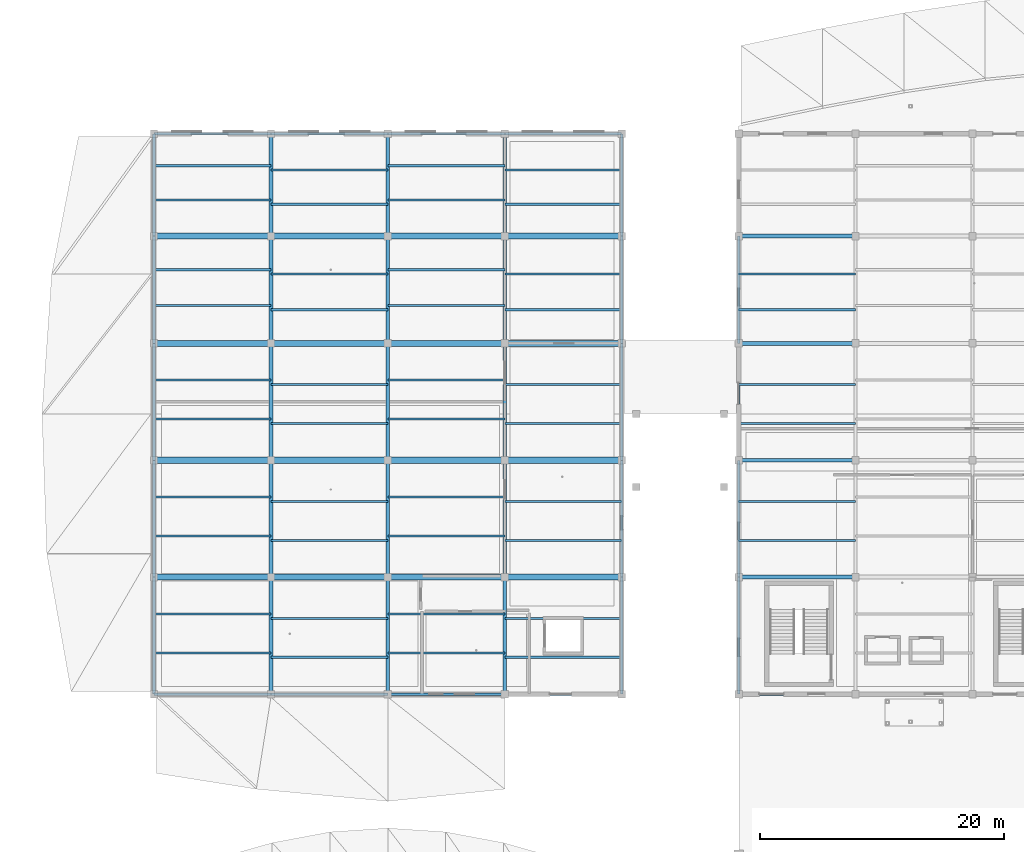
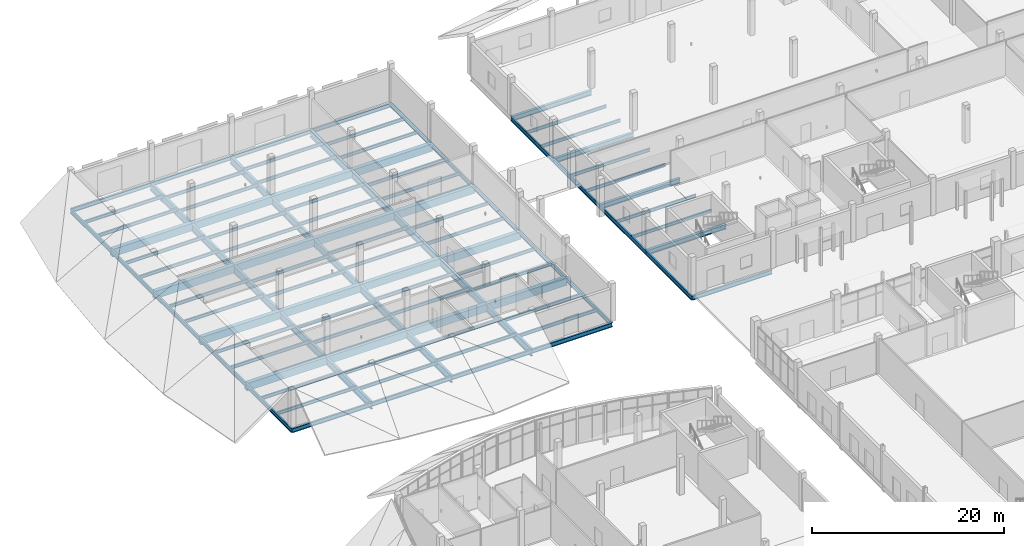
# One storey, part 55 of 116: 104 beams.
"""IFC4 building model written with IfcOpenShell, lengths in metres."""

from ifc_helpers import new_model, si_unit, direction, frame, origin, origin_2d, place, context, subcontext, project, spatial, rectangle, i_section, extrude, material, material_profile, profile_set, type_object, element, save


model = new_model("IFC4")

# Units and contexts
model_context = context("Model", 3, precision=1e-05, world=origin(), true_north=direction((0.0, 1.0)))
body_context = subcontext(model_context, "Body", "Model", "MODEL_VIEW")
ifc_project = project(units=[si_unit("LENGTHUNIT", "METRE"), si_unit("AREAUNIT", "SQUARE_METRE"), si_unit("VOLUMEUNIT", "CUBIC_METRE"), si_unit("PLANEANGLEUNIT", "RADIAN"), si_unit("MASSUNIT", "GRAM", prefix="KILO")], contexts=[model_context])

# Site, building, storey
site_placement = place(None, origin())
site = spatial("IfcSite", under=ifc_project, at=site_placement, CompositionType="ELEMENT")
building_placement = place(site_placement, origin())
building = spatial("IfcBuilding", under=site, at=building_placement, Name="Chalmorin Arch Market", CompositionType="ELEMENT")
storey_placement = place(building_placement, origin())
storey = spatial("IfcBuildingStorey", under=building, at=storey_placement, Name="L00", CompositionType="ELEMENT", Elevation=0.0)

# Beams
ifc_material_1 = material(Name="Concrete C40/50", Category="concrete")
ifc_material_profile_1 = material_profile(ifc_material_1, rectangle(XDim=0.5, YDim=0.949951171875, at=origin_2d()), Name="RC500X950")
ifc_profile_set_1 = profile_set([ifc_material_profile_1], Name="Concrete C40/50")
beam_type_1 = type_object("IfcBeamType", Name="HeavyConcreteGirder-500x950", PredefinedType="BEAM", material=ifc_profile_set_1)
for number, where, z_axis, x_axis, name in (
    (1, (0.0, 81.60009765625, -0.797119140625), (1.0, 0.0, 0.0), (0.0, 1.0, 0.0), "BG-RC4-0287"),
    (2, (0.0, 91.199951171875, -0.797119140625), (1.0, 0.0, 0.0), (0.0, 1.0, 0.0), "BG-RC4-0290"),
    (3, (0.0, 100.800048828125, -0.797119140625), (1.0, 0.0, 0.0), (0.0, 1.0, 0.0), "BG-RC4-0293"),
    (4, (0.0, 109.60009765625, -0.797119140625), (1.0, 0.0, 0.0), (0.0, 1.0, 0.0), "BG-RC4-0296"),
):
    element("IfcBeam", number, at=place(storey_placement, frame(where, z_axis=z_axis, x_axis=x_axis)), inside=storey, type_object=beam_type_1, Name=name, PredefinedType="BEAM", context=body_context, shape_type="SweptSolid", body=[
        extrude(rectangle(XDim=0.5, YDim=0.949951171875, at=origin_2d()), origin(), (0.0, 0.0, 1.0), 9.60009765625),
    ])
for number, where, z_axis, x_axis, name in (
    (5, (9.60009765625, 81.60009765625, -0.797119140625), (1.0, 0.0, 0.0), (0.0, 1.0, 0.0), "BG-RC4-0303"),
    (6, (9.60009765625, 91.199951171875, -0.797119140625), (1.0, 0.0, 0.0), (0.0, 1.0, 0.0), "BG-RC4-0305"),
    (7, (9.60009765625, 100.800048828125, -0.797119140625), (1.0, 0.0, 0.0), (0.0, 1.0, 0.0), "BG-RC4-0307"),
    (8, (9.60009765625, 109.60009765625, -0.797119140625), (1.0, 0.0, 0.0), (0.0, 1.0, 0.0), "BG-RC4-0309"),
):
    element("IfcBeam", number, at=place(storey_placement, frame(where, z_axis=z_axis, x_axis=x_axis)), inside=storey, type_object=beam_type_1, Name=name, PredefinedType="BEAM", context=body_context, shape_type="SweptSolid", body=[
        extrude(rectangle(XDim=0.5, YDim=0.949951171875, at=origin_2d()), origin(), (0.0, 0.0, 1.0), 9.599853515625),
    ])
for number, where, z_axis, x_axis, name in (
    (9, (19.199951171875, 81.60009765625, -0.797119140625), (1.0, 0.0, 0.0), (0.0, 1.0, 0.0), "BG-RC4-0314"),
    (10, (19.199951171875, 91.199951171875, -0.797119140625), (1.0, 0.0, 0.0), (0.0, 1.0, 0.0), "BG-RC4-0316"),
    (11, (19.199951171875, 100.800048828125, -0.797119140625), (1.0, 0.0, 0.0), (0.0, 1.0, 0.0), "BG-RC4-0318"),
    (12, (19.199951171875, 109.60009765625, -0.797119140625), (1.0, 0.0, 0.0), (0.0, 1.0, 0.0), "BG-RC4-0320"),
):
    element("IfcBeam", number, at=place(storey_placement, frame(where, z_axis=z_axis, x_axis=x_axis)), inside=storey, type_object=beam_type_1, Name=name, PredefinedType="BEAM", context=body_context, shape_type="SweptSolid", body=[
        extrude(rectangle(XDim=0.5, YDim=0.949951171875, at=origin_2d()), origin(), (0.0, 0.0, 1.0), 9.60009765625),
    ])
for number, where, z_axis, x_axis, name in (
    (13, (28.800048828125, 81.60009765625, -0.797119140625), (1.0, 0.0, 0.0), (0.0, 1.0, 0.0), "BG-RC4-0325"),
    (14, (28.800048828125, 91.199951171875, -0.797119140625), (1.0, 0.0, 0.0), (0.0, 1.0, 0.0), "BG-RC4-0327"),
    (15, (28.800048828125, 100.800048828125, -0.797119140625), (1.0, 0.0, 0.0), (0.0, 1.0, 0.0), "BG-RC4-0329"),
    (16, (28.800048828125, 109.60009765625, -0.797119140625), (1.0, 0.0, 0.0), (0.0, 1.0, 0.0), "BG-RC4-0331"),
):
    element("IfcBeam", number, at=place(storey_placement, frame(where, z_axis=z_axis, x_axis=x_axis)), inside=storey, type_object=beam_type_1, Name=name, PredefinedType="BEAM", context=body_context, shape_type="SweptSolid", body=[
        extrude(rectangle(XDim=0.5, YDim=0.949951171875, at=origin_2d()), origin(), (0.0, 0.0, 1.0), 9.599853515625),
    ])
ifc_material_2 = material(Name="Steel A992 Grade 50", Category="steel")
ifc_material_profile_2 = material_profile(ifc_material_2, i_section(OverallWidth=0.180908203125, OverallDepth=0.4169921875, WebThickness=0.010986328125, FlangeThickness=0.018310546875, FilletRadius=0.01806640625, at=origin_2d()), Name="W16X57")
ifc_profile_set_2 = profile_set([ifc_material_profile_2], Name="Steel A992 Grade 50")
beam_type_2 = type_object("IfcBeamType", Name="HeavyFloorJoist-W16X57", PredefinedType="JOIST", material=ifc_profile_set_2)
for number, where, z_axis, x_axis, name in (
    (17, (0.0, 75.3798828125, -0.530517578125), (1.0, 0.0, 0.0), (0.0, 1.0, 0.0), "BJ-W16C-0335"),
    (18, (0.0, 78.580078125, -0.530517578125), (1.0, 0.0, 0.0), (0.0, 1.0, 0.0), "BJ-W16C-0336"),
    (19, (0.0, 84.97998046875, -0.530517578125), (1.0, 0.0, 0.0), (0.0, 1.0, 0.0), "BJ-W16C-0337"),
    (20, (0.0, 88.179931640625, -0.530517578125), (1.0, 0.0, 0.0), (0.0, 1.0, 0.0), "BJ-W16C-0338"),
    (21, (0.0, 94.580078125, -0.530517578125), (1.0, 0.0, 0.0), (0.0, 1.0, 0.0), "BJ-W16C-0339"),
    (22, (0.0, 97.780029296875, -0.530517578125), (1.0, 0.0, 0.0), (0.0, 1.0, 0.0), "BJ-W16C-0340"),
    (23, (0.0, 103.913330078125, -0.530517578125), (1.0, 0.0, 0.0), (0.0, 1.0, 0.0), "BJ-W16C-0341"),
    (24, (0.0, 106.8466796875, -0.530517578125), (1.0, 0.0, 0.0), (0.0, 1.0, 0.0), "BJ-W16C-0342"),
    (25, (0.0, 112.580078125, -0.530517578125), (1.0, 0.0, 0.0), (0.0, 1.0, 0.0), "BJ-W16C-0343"),
    (26, (0.0, 115.3798828125, -0.530517578125), (1.0, 0.0, 0.0), (0.0, 1.0, 0.0), "BJ-W16C-0344"),
):
    element("IfcBeam", number, at=place(storey_placement, frame(where, z_axis=z_axis, x_axis=x_axis)), inside=storey, type_object=beam_type_2, Name=name, PredefinedType="JOIST", context=body_context, shape_type="SweptSolid", body=[
        extrude(i_section(OverallWidth=0.180908203125, OverallDepth=0.4169921875, WebThickness=0.010986328125, FlangeThickness=0.018310546875, FilletRadius=0.01806640625, at=origin_2d()), origin(), (0.0, 0.0, 1.0), 9.60009765625),
    ])
for number, where, z_axis, x_axis, name in (
    (27, (9.60009765625, 75.02001953125, -0.530517578125), (1.0, 0.0, 0.0), (0.0, 1.0, 0.0), "BJ-W16C-0345"),
    (28, (9.60009765625, 78.219970703125, -0.530517578125), (1.0, 0.0, 0.0), (0.0, 1.0, 0.0), "BJ-W16C-0346"),
    (29, (9.60009765625, 84.6201171875, -0.530517578125), (1.0, 0.0, 0.0), (0.0, 1.0, 0.0), "BJ-W16C-0347"),
    (30, (9.60009765625, 87.820068359375, -0.530517578125), (1.0, 0.0, 0.0), (0.0, 1.0, 0.0), "BJ-W16C-0348"),
    (31, (9.60009765625, 94.219970703125, -0.530517578125), (1.0, 0.0, 0.0), (0.0, 1.0, 0.0), "BJ-W16C-0349"),
    (32, (9.60009765625, 97.419921875, -0.530517578125), (1.0, 0.0, 0.0), (0.0, 1.0, 0.0), "BJ-W16C-0350"),
    (33, (9.60009765625, 103.55322265625, -0.530517578125), (1.0, 0.0, 0.0), (0.0, 1.0, 0.0), "BJ-W16C-0351"),
    (34, (9.60009765625, 106.48681640625, -0.530517578125), (1.0, 0.0, 0.0), (0.0, 1.0, 0.0), "BJ-W16C-0352"),
    (35, (9.60009765625, 112.219970703125, -0.530517578125), (1.0, 0.0, 0.0), (0.0, 1.0, 0.0), "BJ-W16C-0353"),
    (36, (9.60009765625, 115.02001953125, -0.530517578125), (1.0, 0.0, 0.0), (0.0, 1.0, 0.0), "BJ-W16C-0354"),
):
    element("IfcBeam", number, at=place(storey_placement, frame(where, z_axis=z_axis, x_axis=x_axis)), inside=storey, type_object=beam_type_2, Name=name, PredefinedType="JOIST", context=body_context, shape_type="SweptSolid", body=[
        extrude(i_section(OverallWidth=0.180908203125, OverallDepth=0.4169921875, WebThickness=0.010986328125, FlangeThickness=0.018310546875, FilletRadius=0.01806640625, at=origin_2d()), origin(), (0.0, 0.0, 1.0), 9.599853515625),
    ])
for number, where, z_axis, x_axis, name in (
    (37, (19.199951171875, 75.3798828125, -0.530517578125), (1.0, 0.0, 0.0), (0.0, 1.0, 0.0), "BJ-W16C-0355"),
    (38, (19.199951171875, 78.580078125, -0.530517578125), (1.0, 0.0, 0.0), (0.0, 1.0, 0.0), "BJ-W16C-0356"),
    (39, (19.199951171875, 84.97998046875, -0.530517578125), (1.0, 0.0, 0.0), (0.0, 1.0, 0.0), "BJ-W16C-0357"),
    (40, (19.199951171875, 88.179931640625, -0.530517578125), (1.0, 0.0, 0.0), (0.0, 1.0, 0.0), "BJ-W16C-0358"),
    (41, (19.199951171875, 94.580078125, -0.530517578125), (1.0, 0.0, 0.0), (0.0, 1.0, 0.0), "BJ-W16C-0359"),
    (42, (19.199951171875, 97.780029296875, -0.530517578125), (1.0, 0.0, 0.0), (0.0, 1.0, 0.0), "BJ-W16C-0360"),
    (43, (19.199951171875, 103.913330078125, -0.530517578125), (1.0, 0.0, 0.0), (0.0, 1.0, 0.0), "BJ-W16C-0361"),
    (44, (19.199951171875, 106.8466796875, -0.530517578125), (1.0, 0.0, 0.0), (0.0, 1.0, 0.0), "BJ-W16C-0362"),
    (45, (19.199951171875, 112.580078125, -0.530517578125), (1.0, 0.0, 0.0), (0.0, 1.0, 0.0), "BJ-W16C-0363"),
    (46, (19.199951171875, 115.3798828125, -0.530517578125), (1.0, 0.0, 0.0), (0.0, 1.0, 0.0), "BJ-W16C-0364"),
):
    element("IfcBeam", number, at=place(storey_placement, frame(where, z_axis=z_axis, x_axis=x_axis)), inside=storey, type_object=beam_type_2, Name=name, PredefinedType="JOIST", context=body_context, shape_type="SweptSolid", body=[
        extrude(i_section(OverallWidth=0.180908203125, OverallDepth=0.4169921875, WebThickness=0.010986328125, FlangeThickness=0.018310546875, FilletRadius=0.01806640625, at=origin_2d()), origin(), (0.0, 0.0, 1.0), 9.60009765625),
    ])
for number, where, z_axis, x_axis, name in (
    (47, (28.800048828125, 75.02001953125, -0.530517578125), (1.0, 0.0, 0.0), (0.0, 1.0, 0.0), "BJ-W16C-0365"),
    (48, (28.800048828125, 78.219970703125, -0.530517578125), (1.0, 0.0, 0.0), (0.0, 1.0, 0.0), "BJ-W16C-0366"),
    (49, (28.800048828125, 84.6201171875, -0.530517578125), (1.0, 0.0, 0.0), (0.0, 1.0, 0.0), "BJ-W16C-0367"),
    (50, (28.800048828125, 87.820068359375, -0.530517578125), (1.0, 0.0, 0.0), (0.0, 1.0, 0.0), "BJ-W16C-0368"),
    (51, (28.800048828125, 94.219970703125, -0.530517578125), (1.0, 0.0, 0.0), (0.0, 1.0, 0.0), "BJ-W16C-0369"),
    (52, (28.800048828125, 97.419921875, -0.530517578125), (1.0, 0.0, 0.0), (0.0, 1.0, 0.0), "BJ-W16C-0370"),
    (53, (28.800048828125, 103.55322265625, -0.530517578125), (1.0, 0.0, 0.0), (0.0, 1.0, 0.0), "BJ-W16C-0371"),
    (54, (28.800048828125, 106.48681640625, -0.530517578125), (1.0, 0.0, 0.0), (0.0, 1.0, 0.0), "BJ-W16C-0372"),
    (55, (28.800048828125, 112.219970703125, -0.530517578125), (1.0, 0.0, 0.0), (0.0, 1.0, 0.0), "BJ-W16C-0373"),
    (56, (28.800048828125, 115.02001953125, -0.530517578125), (1.0, 0.0, 0.0), (0.0, 1.0, 0.0), "BJ-W16C-0374"),
):
    element("IfcBeam", number, at=place(storey_placement, frame(where, z_axis=z_axis, x_axis=x_axis)), inside=storey, type_object=beam_type_2, Name=name, PredefinedType="JOIST", context=body_context, shape_type="SweptSolid", body=[
        extrude(i_section(OverallWidth=0.180908203125, OverallDepth=0.4169921875, WebThickness=0.010986328125, FlangeThickness=0.018310546875, FilletRadius=0.01806640625, at=origin_2d()), origin(), (0.0, 0.0, 1.0), 9.599853515625),
    ])
ifc_material_profile_3 = material_profile(ifc_material_2, i_section(OverallWidth=0.303955078125, OverallDepth=0.910888671875, WebThickness=0.015869140625, FlangeThickness=0.02392578125, FilletRadius=0.031982421875, at=origin_2d()), Name="W36X150")
ifc_profile_set_3 = profile_set([ifc_material_profile_3], Name="Steel A992 Grade 50")
beam_type_3 = type_object("IfcBeamType", Name="HeavyTransferGirder-W36X150", PredefinedType="BEAM", material=ifc_profile_set_3)
beam_1_placement = place(storey_placement, frame((9.60009765625, 72.0, -0.777587890625), z_axis=(0.0, 1.0, 0.0), x_axis=(-1.0, 0.0, 0.0)))
element("IfcBeam", 57, at=beam_1_placement, inside=storey, type_object=beam_type_3, Name="BG-W36-0289", PredefinedType="BEAM", context=body_context, shape_type="SweptSolid", body=[
    extrude(i_section(OverallWidth=0.303955078125, OverallDepth=0.910888671875, WebThickness=0.015869140625, FlangeThickness=0.02392578125, FilletRadius=0.031982421875, at=origin_2d()), origin(), (0.0, 0.0, 1.0), 9.60009765625),
])
beam_2_placement = place(storey_placement, frame((9.60009765625, 81.60009765625, -0.777587890625), z_axis=(0.0, 1.0, 0.0), x_axis=(-1.0, 0.0, 0.0)))
element("IfcBeam", 58, at=beam_2_placement, inside=storey, type_object=beam_type_3, Name="BG-W36-0292", PredefinedType="BEAM", context=body_context, shape_type="SweptSolid", body=[
    extrude(i_section(OverallWidth=0.303955078125, OverallDepth=0.910888671875, WebThickness=0.015869140625, FlangeThickness=0.02392578125, FilletRadius=0.031982421875, at=origin_2d()), origin(), (0.0, 0.0, 1.0), 9.599853515625),
])
beam_3_placement = place(storey_placement, frame((9.60009765625, 91.199951171875, -0.777587890625), z_axis=(0.0, 1.0, 0.0), x_axis=(-1.0, 0.0, 0.0)))
element("IfcBeam", 59, at=beam_3_placement, inside=storey, type_object=beam_type_3, Name="BG-W36-0295", PredefinedType="BEAM", context=body_context, shape_type="SweptSolid", body=[
    extrude(i_section(OverallWidth=0.303955078125, OverallDepth=0.910888671875, WebThickness=0.015869140625, FlangeThickness=0.02392578125, FilletRadius=0.031982421875, at=origin_2d()), origin(), (0.0, 0.0, 1.0), 9.60009765625),
])
beam_4_placement = place(storey_placement, frame((9.60009765625, 100.800048828125, -0.777587890625), z_axis=(0.0, 1.0, 0.0), x_axis=(-1.0, 0.0, 0.0)))
element("IfcBeam", 60, at=beam_4_placement, inside=storey, type_object=beam_type_3, Name="BG-W36-0298", PredefinedType="BEAM", context=body_context, shape_type="SweptSolid", body=[
    extrude(i_section(OverallWidth=0.303955078125, OverallDepth=0.910888671875, WebThickness=0.015869140625, FlangeThickness=0.02392578125, FilletRadius=0.031982421875, at=origin_2d()), origin(), (0.0, 0.0, 1.0), 8.800048828125),
])
beam_5_placement = place(storey_placement, frame((9.60009765625, 109.60009765625, -0.777587890625), z_axis=(0.0, 1.0, 0.0), x_axis=(-1.0, 0.0, 0.0)))
element("IfcBeam", 61, at=beam_5_placement, inside=storey, type_object=beam_type_3, Name="BG-W36-0301", PredefinedType="BEAM", context=body_context, shape_type="SweptSolid", body=[
    extrude(i_section(OverallWidth=0.303955078125, OverallDepth=0.910888671875, WebThickness=0.015869140625, FlangeThickness=0.02392578125, FilletRadius=0.031982421875, at=origin_2d()), origin(), (0.0, 0.0, 1.0), 8.39990234375),
])
beam_6_placement = place(storey_placement, frame((19.199951171875, 72.0, -0.777587890625), z_axis=(0.0, 1.0, 0.0), x_axis=(-1.0, 0.0, 0.0)))
element("IfcBeam", 62, at=beam_6_placement, inside=storey, type_object=beam_type_3, Name="BG-W36-0304", PredefinedType="BEAM", context=body_context, shape_type="SweptSolid", body=[
    extrude(i_section(OverallWidth=0.303955078125, OverallDepth=0.910888671875, WebThickness=0.015869140625, FlangeThickness=0.02392578125, FilletRadius=0.031982421875, at=origin_2d()), origin(), (0.0, 0.0, 1.0), 9.60009765625),
])
beam_7_placement = place(storey_placement, frame((19.199951171875, 81.60009765625, -0.777587890625), z_axis=(0.0, 1.0, 0.0), x_axis=(-1.0, 0.0, 0.0)))
element("IfcBeam", 63, at=beam_7_placement, inside=storey, type_object=beam_type_3, Name="BG-W36-0306", PredefinedType="BEAM", context=body_context, shape_type="SweptSolid", body=[
    extrude(i_section(OverallWidth=0.303955078125, OverallDepth=0.910888671875, WebThickness=0.015869140625, FlangeThickness=0.02392578125, FilletRadius=0.031982421875, at=origin_2d()), origin(), (0.0, 0.0, 1.0), 9.599853515625),
])
beam_8_placement = place(storey_placement, frame((19.199951171875, 91.199951171875, -0.777587890625), z_axis=(0.0, 1.0, 0.0), x_axis=(-1.0, 0.0, 0.0)))
element("IfcBeam", 64, at=beam_8_placement, inside=storey, type_object=beam_type_3, Name="BG-W36-0308", PredefinedType="BEAM", context=body_context, shape_type="SweptSolid", body=[
    extrude(i_section(OverallWidth=0.303955078125, OverallDepth=0.910888671875, WebThickness=0.015869140625, FlangeThickness=0.02392578125, FilletRadius=0.031982421875, at=origin_2d()), origin(), (0.0, 0.0, 1.0), 9.60009765625),
])
beam_9_placement = place(storey_placement, frame((19.199951171875, 100.800048828125, -0.777587890625), z_axis=(0.0, 1.0, 0.0), x_axis=(-1.0, 0.0, 0.0)))
element("IfcBeam", 65, at=beam_9_placement, inside=storey, type_object=beam_type_3, Name="BG-W36-0310", PredefinedType="BEAM", context=body_context, shape_type="SweptSolid", body=[
    extrude(i_section(OverallWidth=0.303955078125, OverallDepth=0.910888671875, WebThickness=0.015869140625, FlangeThickness=0.02392578125, FilletRadius=0.031982421875, at=origin_2d()), origin(), (0.0, 0.0, 1.0), 8.800048828125),
])
beam_10_placement = place(storey_placement, frame((19.199951171875, 109.60009765625, -0.777587890625), z_axis=(0.0, 1.0, 0.0), x_axis=(-1.0, 0.0, 0.0)))
element("IfcBeam", 66, at=beam_10_placement, inside=storey, type_object=beam_type_3, Name="BG-W36-0312", PredefinedType="BEAM", context=body_context, shape_type="SweptSolid", body=[
    extrude(i_section(OverallWidth=0.303955078125, OverallDepth=0.910888671875, WebThickness=0.015869140625, FlangeThickness=0.02392578125, FilletRadius=0.031982421875, at=origin_2d()), origin(), (0.0, 0.0, 1.0), 8.39990234375),
])
beam_11_placement = place(storey_placement, frame((28.800048828125, 72.0, -0.777587890625), z_axis=(0.0, 1.0, 0.0), x_axis=(-1.0, 0.0, 0.0)))
element("IfcBeam", 67, at=beam_11_placement, inside=storey, type_object=beam_type_3, Name="BG-W36-0315", PredefinedType="BEAM", context=body_context, shape_type="SweptSolid", body=[
    extrude(i_section(OverallWidth=0.303955078125, OverallDepth=0.910888671875, WebThickness=0.015869140625, FlangeThickness=0.02392578125, FilletRadius=0.031982421875, at=origin_2d()), origin(), (0.0, 0.0, 1.0), 9.60009765625),
])
beam_12_placement = place(storey_placement, frame((28.800048828125, 81.60009765625, -0.777587890625), z_axis=(0.0, 1.0, 0.0), x_axis=(-1.0, 0.0, 0.0)))
element("IfcBeam", 68, at=beam_12_placement, inside=storey, type_object=beam_type_3, Name="BG-W36-0317", PredefinedType="BEAM", context=body_context, shape_type="SweptSolid", body=[
    extrude(i_section(OverallWidth=0.303955078125, OverallDepth=0.910888671875, WebThickness=0.015869140625, FlangeThickness=0.02392578125, FilletRadius=0.031982421875, at=origin_2d()), origin(), (0.0, 0.0, 1.0), 9.599853515625),
])
beam_13_placement = place(storey_placement, frame((28.800048828125, 91.199951171875, -0.777587890625), z_axis=(0.0, 1.0, 0.0), x_axis=(-1.0, 0.0, 0.0)))
element("IfcBeam", 69, at=beam_13_placement, inside=storey, type_object=beam_type_3, Name="BG-W36-0319", PredefinedType="BEAM", context=body_context, shape_type="SweptSolid", body=[
    extrude(i_section(OverallWidth=0.303955078125, OverallDepth=0.910888671875, WebThickness=0.015869140625, FlangeThickness=0.02392578125, FilletRadius=0.031982421875, at=origin_2d()), origin(), (0.0, 0.0, 1.0), 9.60009765625),
])
beam_14_placement = place(storey_placement, frame((28.800048828125, 100.800048828125, -0.777587890625), z_axis=(0.0, 1.0, 0.0), x_axis=(-1.0, 0.0, 0.0)))
element("IfcBeam", 70, at=beam_14_placement, inside=storey, type_object=beam_type_3, Name="BG-W36-0321", PredefinedType="BEAM", context=body_context, shape_type="SweptSolid", body=[
    extrude(i_section(OverallWidth=0.303955078125, OverallDepth=0.910888671875, WebThickness=0.015869140625, FlangeThickness=0.02392578125, FilletRadius=0.031982421875, at=origin_2d()), origin(), (0.0, 0.0, 1.0), 8.800048828125),
])
beam_15_placement = place(storey_placement, frame((28.800048828125, 109.60009765625, -0.777587890625), z_axis=(0.0, 1.0, 0.0), x_axis=(-1.0, 0.0, 0.0)))
element("IfcBeam", 71, at=beam_15_placement, inside=storey, type_object=beam_type_3, Name="BG-W36-0323", PredefinedType="BEAM", context=body_context, shape_type="SweptSolid", body=[
    extrude(i_section(OverallWidth=0.303955078125, OverallDepth=0.910888671875, WebThickness=0.015869140625, FlangeThickness=0.02392578125, FilletRadius=0.031982421875, at=origin_2d()), origin(), (0.0, 0.0, 1.0), 8.39990234375),
])
ifc_material_profile_4 = material_profile(ifc_material_2, i_section(OverallWidth=0.208984375, OverallDepth=0.532958984375, WebThickness=0.01025390625, FlangeThickness=0.015625, FilletRadius=0.02197265625, at=origin_2d()), Name="W21X62")
ifc_profile_set_4 = profile_set([ifc_material_profile_4], Name="Steel A992 Grade 50")
beam_type_4 = type_object("IfcBeamType", Name="PerimeterSpandrelBeam-W21X62", PredefinedType="SPANDREL", material=ifc_profile_set_4)
for number, where, z_axis, x_axis, name in (
    (72, (0.0, 72.0, -0.58837890625), (1.0, 0.0, 0.0), (0.0, 1.0, 0.0), "SP-W21-0286"),
    (73, (0.0, 72.0, -0.58837890625), (0.0, 1.0, 0.0), (-1.0, 0.0, 0.0), "SP-W21-0288"),
):
    element("IfcBeam", number, at=place(storey_placement, frame(where, z_axis=z_axis, x_axis=x_axis)), inside=storey, type_object=beam_type_4, Name=name, PredefinedType="SPANDREL", context=body_context, shape_type="SweptSolid", body=[
        extrude(i_section(OverallWidth=0.208984375, OverallDepth=0.532958984375, WebThickness=0.01025390625, FlangeThickness=0.015625, FilletRadius=0.02197265625, at=origin_2d()), origin(), (0.0, 0.0, 1.0), 9.60009765625),
    ])
beam_16_placement = place(storey_placement, frame((0.0, 81.60009765625, -0.58837890625), z_axis=(0.0, 1.0, 0.0), x_axis=(-1.0, 0.0, 0.0)))
element("IfcBeam", 74, at=beam_16_placement, inside=storey, type_object=beam_type_4, Name="SP-W21-0291", PredefinedType="SPANDREL", context=body_context, shape_type="SweptSolid", body=[
    extrude(i_section(OverallWidth=0.208984375, OverallDepth=0.532958984375, WebThickness=0.01025390625, FlangeThickness=0.015625, FilletRadius=0.02197265625, at=origin_2d()), origin(), (0.0, 0.0, 1.0), 9.599853515625),
])
beam_17_placement = place(storey_placement, frame((0.0, 91.199951171875, -0.58837890625), z_axis=(0.0, 1.0, 0.0), x_axis=(-1.0, 0.0, 0.0)))
element("IfcBeam", 75, at=beam_17_placement, inside=storey, type_object=beam_type_4, Name="SP-W21-0294", PredefinedType="SPANDREL", context=body_context, shape_type="SweptSolid", body=[
    extrude(i_section(OverallWidth=0.208984375, OverallDepth=0.532958984375, WebThickness=0.01025390625, FlangeThickness=0.015625, FilletRadius=0.02197265625, at=origin_2d()), origin(), (0.0, 0.0, 1.0), 9.60009765625),
])
beam_18_placement = place(storey_placement, frame((0.0, 100.800048828125, -0.58837890625), z_axis=(0.0, 1.0, 0.0), x_axis=(-1.0, 0.0, 0.0)))
element("IfcBeam", 76, at=beam_18_placement, inside=storey, type_object=beam_type_4, Name="SP-W21-0297", PredefinedType="SPANDREL", context=body_context, shape_type="SweptSolid", body=[
    extrude(i_section(OverallWidth=0.208984375, OverallDepth=0.532958984375, WebThickness=0.01025390625, FlangeThickness=0.015625, FilletRadius=0.02197265625, at=origin_2d()), origin(), (0.0, 0.0, 1.0), 8.800048828125),
])
beam_19_placement = place(storey_placement, frame((0.0, 118.0, -0.58837890625), z_axis=(1.0, 0.0, 0.0), x_axis=(0.0, 1.0, 0.0)))
element("IfcBeam", 77, at=beam_19_placement, inside=storey, type_object=beam_type_4, Name="SP-W21-0299", PredefinedType="SPANDREL", context=body_context, shape_type="SweptSolid", body=[
    extrude(i_section(OverallWidth=0.208984375, OverallDepth=0.532958984375, WebThickness=0.01025390625, FlangeThickness=0.015625, FilletRadius=0.02197265625, at=origin_2d()), origin(), (0.0, 0.0, 1.0), 9.60009765625),
])
beam_20_placement = place(storey_placement, frame((0.0, 109.60009765625, -0.58837890625), z_axis=(0.0, 1.0, 0.0), x_axis=(-1.0, 0.0, 0.0)))
element("IfcBeam", 78, at=beam_20_placement, inside=storey, type_object=beam_type_4, Name="SP-W21-0300", PredefinedType="SPANDREL", context=body_context, shape_type="SweptSolid", body=[
    extrude(i_section(OverallWidth=0.208984375, OverallDepth=0.532958984375, WebThickness=0.01025390625, FlangeThickness=0.015625, FilletRadius=0.02197265625, at=origin_2d()), origin(), (0.0, 0.0, 1.0), 8.39990234375),
])
for number, where, z_axis, x_axis, name in (
    (79, (9.60009765625, 72.0, -0.58837890625), (1.0, 0.0, 0.0), (0.0, 1.0, 0.0), "SP-W21-0302"),
    (80, (9.60009765625, 118.0, -0.58837890625), (1.0, 0.0, 0.0), (0.0, 1.0, 0.0), "SP-W21-0311"),
):
    element("IfcBeam", number, at=place(storey_placement, frame(where, z_axis=z_axis, x_axis=x_axis)), inside=storey, type_object=beam_type_4, Name=name, PredefinedType="SPANDREL", context=body_context, shape_type="SweptSolid", body=[
        extrude(i_section(OverallWidth=0.208984375, OverallDepth=0.532958984375, WebThickness=0.01025390625, FlangeThickness=0.015625, FilletRadius=0.02197265625, at=origin_2d()), origin(), (0.0, 0.0, 1.0), 9.599853515625),
    ])
for number, where, z_axis, x_axis, name in (
    (81, (19.199951171875, 72.0, -0.58837890625), (1.0, 0.0, 0.0), (0.0, 1.0, 0.0), "SP-W21-0313"),
    (82, (19.199951171875, 118.0, -0.58837890625), (1.0, 0.0, 0.0), (0.0, 1.0, 0.0), "SP-W21-0322"),
):
    element("IfcBeam", number, at=place(storey_placement, frame(where, z_axis=z_axis, x_axis=x_axis)), inside=storey, type_object=beam_type_4, Name=name, PredefinedType="SPANDREL", context=body_context, shape_type="SweptSolid", body=[
        extrude(i_section(OverallWidth=0.208984375, OverallDepth=0.532958984375, WebThickness=0.01025390625, FlangeThickness=0.015625, FilletRadius=0.02197265625, at=origin_2d()), origin(), (0.0, 0.0, 1.0), 9.60009765625),
    ])
beam_21_placement = place(storey_placement, frame((28.800048828125, 72.0, -0.58837890625), z_axis=(1.0, 0.0, 0.0), x_axis=(0.0, 1.0, 0.0)))
element("IfcBeam", 83, at=beam_21_placement, inside=storey, type_object=beam_type_4, Name="SP-W21-0324", PredefinedType="SPANDREL", context=body_context, shape_type="SweptSolid", body=[
    extrude(i_section(OverallWidth=0.208984375, OverallDepth=0.532958984375, WebThickness=0.01025390625, FlangeThickness=0.015625, FilletRadius=0.02197265625, at=origin_2d()), origin(), (0.0, 0.0, 1.0), 9.599853515625),
])
beam_22_placement = place(storey_placement, frame((38.39990234375, 72.0, -0.58837890625), z_axis=(0.0, 1.0, 0.0), x_axis=(-1.0, 0.0, 0.0)))
element("IfcBeam", 84, at=beam_22_placement, inside=storey, type_object=beam_type_4, Name="SP-W21-0326", PredefinedType="SPANDREL", context=body_context, shape_type="SweptSolid", body=[
    extrude(i_section(OverallWidth=0.208984375, OverallDepth=0.532958984375, WebThickness=0.01025390625, FlangeThickness=0.015625, FilletRadius=0.02197265625, at=origin_2d()), origin(), (0.0, 0.0, 1.0), 9.60009765625),
])
beam_23_placement = place(storey_placement, frame((38.39990234375, 81.60009765625, -0.58837890625), z_axis=(0.0, 1.0, 0.0), x_axis=(-1.0, 0.0, 0.0)))
element("IfcBeam", 85, at=beam_23_placement, inside=storey, type_object=beam_type_4, Name="SP-W21-0328", PredefinedType="SPANDREL", context=body_context, shape_type="SweptSolid", body=[
    extrude(i_section(OverallWidth=0.208984375, OverallDepth=0.532958984375, WebThickness=0.01025390625, FlangeThickness=0.015625, FilletRadius=0.02197265625, at=origin_2d()), origin(), (0.0, 0.0, 1.0), 9.599853515625),
])
beam_24_placement = place(storey_placement, frame((38.39990234375, 91.199951171875, -0.58837890625), z_axis=(0.0, 1.0, 0.0), x_axis=(-1.0, 0.0, 0.0)))
element("IfcBeam", 86, at=beam_24_placement, inside=storey, type_object=beam_type_4, Name="SP-W21-0330", PredefinedType="SPANDREL", context=body_context, shape_type="SweptSolid", body=[
    extrude(i_section(OverallWidth=0.208984375, OverallDepth=0.532958984375, WebThickness=0.01025390625, FlangeThickness=0.015625, FilletRadius=0.02197265625, at=origin_2d()), origin(), (0.0, 0.0, 1.0), 9.60009765625),
])
beam_25_placement = place(storey_placement, frame((38.39990234375, 100.800048828125, -0.58837890625), z_axis=(0.0, 1.0, 0.0), x_axis=(-1.0, 0.0, 0.0)))
element("IfcBeam", 87, at=beam_25_placement, inside=storey, type_object=beam_type_4, Name="SP-W21-0332", PredefinedType="SPANDREL", context=body_context, shape_type="SweptSolid", body=[
    extrude(i_section(OverallWidth=0.208984375, OverallDepth=0.532958984375, WebThickness=0.01025390625, FlangeThickness=0.015625, FilletRadius=0.02197265625, at=origin_2d()), origin(), (0.0, 0.0, 1.0), 8.800048828125),
])
beam_26_placement = place(storey_placement, frame((28.800048828125, 118.0, -0.58837890625), z_axis=(1.0, 0.0, 0.0), x_axis=(0.0, 1.0, 0.0)))
element("IfcBeam", 88, at=beam_26_placement, inside=storey, type_object=beam_type_4, Name="SP-W21-0333", PredefinedType="SPANDREL", context=body_context, shape_type="SweptSolid", body=[
    extrude(i_section(OverallWidth=0.208984375, OverallDepth=0.532958984375, WebThickness=0.01025390625, FlangeThickness=0.015625, FilletRadius=0.02197265625, at=origin_2d()), origin(), (0.0, 0.0, 1.0), 9.599853515625),
])
beam_27_placement = place(storey_placement, frame((38.39990234375, 109.60009765625, -0.58837890625), z_axis=(0.0, 1.0, 0.0), x_axis=(-1.0, 0.0, 0.0)))
element("IfcBeam", 89, at=beam_27_placement, inside=storey, type_object=beam_type_4, Name="SP-W21-0334", PredefinedType="SPANDREL", context=body_context, shape_type="SweptSolid", body=[
    extrude(i_section(OverallWidth=0.208984375, OverallDepth=0.532958984375, WebThickness=0.01025390625, FlangeThickness=0.015625, FilletRadius=0.02197265625, at=origin_2d()), origin(), (0.0, 0.0, 1.0), 8.39990234375),
])
for number, where, z_axis, x_axis, name in (
    (90, (48.0, 72.0, -0.58837890625), (1.0, 0.0, 0.0), (0.0, 1.0, 0.0), "SP-W21-0375"),
    (91, (48.0, 72.0, -0.58837890625), (0.0, 1.0, 0.0), (-1.0, 0.0, 0.0), "SP-W21-0377"),
):
    element("IfcBeam", number, at=place(storey_placement, frame(where, z_axis=z_axis, x_axis=x_axis)), inside=storey, type_object=beam_type_4, Name=name, PredefinedType="SPANDREL", context=body_context, shape_type="SweptSolid", body=[
        extrude(i_section(OverallWidth=0.208984375, OverallDepth=0.532958984375, WebThickness=0.01025390625, FlangeThickness=0.015625, FilletRadius=0.02197265625, at=origin_2d()), origin(), (0.0, 0.0, 1.0), 9.60009765625),
    ])
beam_28_placement = place(storey_placement, frame((48.0, 81.60009765625, -0.58837890625), z_axis=(0.0, 1.0, 0.0), x_axis=(-1.0, 0.0, 0.0)))
element("IfcBeam", 92, at=beam_28_placement, inside=storey, type_object=beam_type_4, Name="SP-W21-0380", PredefinedType="SPANDREL", context=body_context, shape_type="SweptSolid", body=[
    extrude(i_section(OverallWidth=0.208984375, OverallDepth=0.532958984375, WebThickness=0.01025390625, FlangeThickness=0.015625, FilletRadius=0.02197265625, at=origin_2d()), origin(), (0.0, 0.0, 1.0), 9.599853515625),
])
beam_29_placement = place(storey_placement, frame((48.0, 91.199951171875, -0.58837890625), z_axis=(0.0, 1.0, 0.0), x_axis=(-1.0, 0.0, 0.0)))
element("IfcBeam", 93, at=beam_29_placement, inside=storey, type_object=beam_type_4, Name="SP-W21-0383", PredefinedType="SPANDREL", context=body_context, shape_type="SweptSolid", body=[
    extrude(i_section(OverallWidth=0.208984375, OverallDepth=0.532958984375, WebThickness=0.01025390625, FlangeThickness=0.015625, FilletRadius=0.02197265625, at=origin_2d()), origin(), (0.0, 0.0, 1.0), 9.60009765625),
])
beam_30_placement = place(storey_placement, frame((48.0, 100.800048828125, -0.58837890625), z_axis=(0.0, 1.0, 0.0), x_axis=(-1.0, 0.0, 0.0)))
element("IfcBeam", 94, at=beam_30_placement, inside=storey, type_object=beam_type_4, Name="SP-W21-0386", PredefinedType="SPANDREL", context=body_context, shape_type="SweptSolid", body=[
    extrude(i_section(OverallWidth=0.208984375, OverallDepth=0.532958984375, WebThickness=0.01025390625, FlangeThickness=0.015625, FilletRadius=0.02197265625, at=origin_2d()), origin(), (0.0, 0.0, 1.0), 8.800048828125),
])
ifc_material_profile_5 = material_profile(ifc_material_2, i_section(OverallWidth=0.323974609375, OverallDepth=0.611083984375, WebThickness=0.0126953125, FlangeThickness=0.01904296875, FilletRadius=0.02392578125, at=origin_2d()), Name="W24X104")
ifc_profile_set_5 = profile_set([ifc_material_profile_5], Name="Steel A992 Grade 50")
beam_type_5 = type_object("IfcBeamType", Name="PrimarySteelGirder-W24X104", PredefinedType="BEAM", material=ifc_profile_set_5)
for number, where, z_axis, x_axis, name in (
    (95, (48.0, 81.60009765625, -0.62744140625), (1.0, 0.0, 0.0), (0.0, 1.0, 0.0), "BG-W24A-0376"),
    (96, (48.0, 91.199951171875, -0.62744140625), (1.0, 0.0, 0.0), (0.0, 1.0, 0.0), "BG-W24A-0379"),
    (97, (48.0, 100.800048828125, -0.62744140625), (1.0, 0.0, 0.0), (0.0, 1.0, 0.0), "BG-W24A-0382"),
    (98, (48.0, 109.60009765625, -0.62744140625), (1.0, 0.0, 0.0), (0.0, 1.0, 0.0), "BG-W24A-0385"),
):
    element("IfcBeam", number, at=place(storey_placement, frame(where, z_axis=z_axis, x_axis=x_axis)), inside=storey, type_object=beam_type_5, Name=name, PredefinedType="BEAM", context=body_context, shape_type="SweptSolid", body=[
        extrude(i_section(OverallWidth=0.323974609375, OverallDepth=0.611083984375, WebThickness=0.0126953125, FlangeThickness=0.01904296875, FilletRadius=0.02392578125, at=origin_2d()), origin(), (0.0, 0.0, 1.0), 9.60009765625),
    ])
ifc_material_profile_6 = material_profile(ifc_material_2, i_section(OverallWidth=0.177978515625, OverallDepth=0.403076171875, WebThickness=0.007568359375, FlangeThickness=0.010986328125, FilletRadius=0.01806640625, at=origin_2d()), Name="W16X36")
ifc_profile_set_6 = profile_set([ifc_material_profile_6], Name="Steel A992 Grade 50")
beam_type_6 = type_object("IfcBeamType", Name="SecondaryFloorJoist-W16X36", PredefinedType="JOIST", material=ifc_profile_set_6)
for number, where, z_axis, x_axis, name in (
    (99, (48.0, 84.6201171875, -0.5234375), (1.0, 0.0, 0.0), (0.0, 1.0, 0.0), "BJ-W16B-0457"),
    (100, (48.0, 87.820068359375, -0.5234375), (1.0, 0.0, 0.0), (0.0, 1.0, 0.0), "BJ-W16B-0458"),
    (101, (48.0, 94.219970703125, -0.5234375), (1.0, 0.0, 0.0), (0.0, 1.0, 0.0), "BJ-W16B-0459"),
    (102, (48.0, 97.419921875, -0.5234375), (1.0, 0.0, 0.0), (0.0, 1.0, 0.0), "BJ-W16B-0460"),
    (103, (48.0, 103.55322265625, -0.5234375), (1.0, 0.0, 0.0), (0.0, 1.0, 0.0), "BJ-W16B-0461"),
    (104, (48.0, 106.48681640625, -0.5234375), (1.0, 0.0, 0.0), (0.0, 1.0, 0.0), "BJ-W16B-0462"),
):
    element("IfcBeam", number, at=place(storey_placement, frame(where, z_axis=z_axis, x_axis=x_axis)), inside=storey, type_object=beam_type_6, Name=name, PredefinedType="JOIST", context=body_context, shape_type="SweptSolid", body=[
        extrude(i_section(OverallWidth=0.177978515625, OverallDepth=0.403076171875, WebThickness=0.007568359375, FlangeThickness=0.010986328125, FilletRadius=0.01806640625, at=origin_2d()), origin(), (0.0, 0.0, 1.0), 9.60009765625),
    ])

save(model, "model.ifc")
